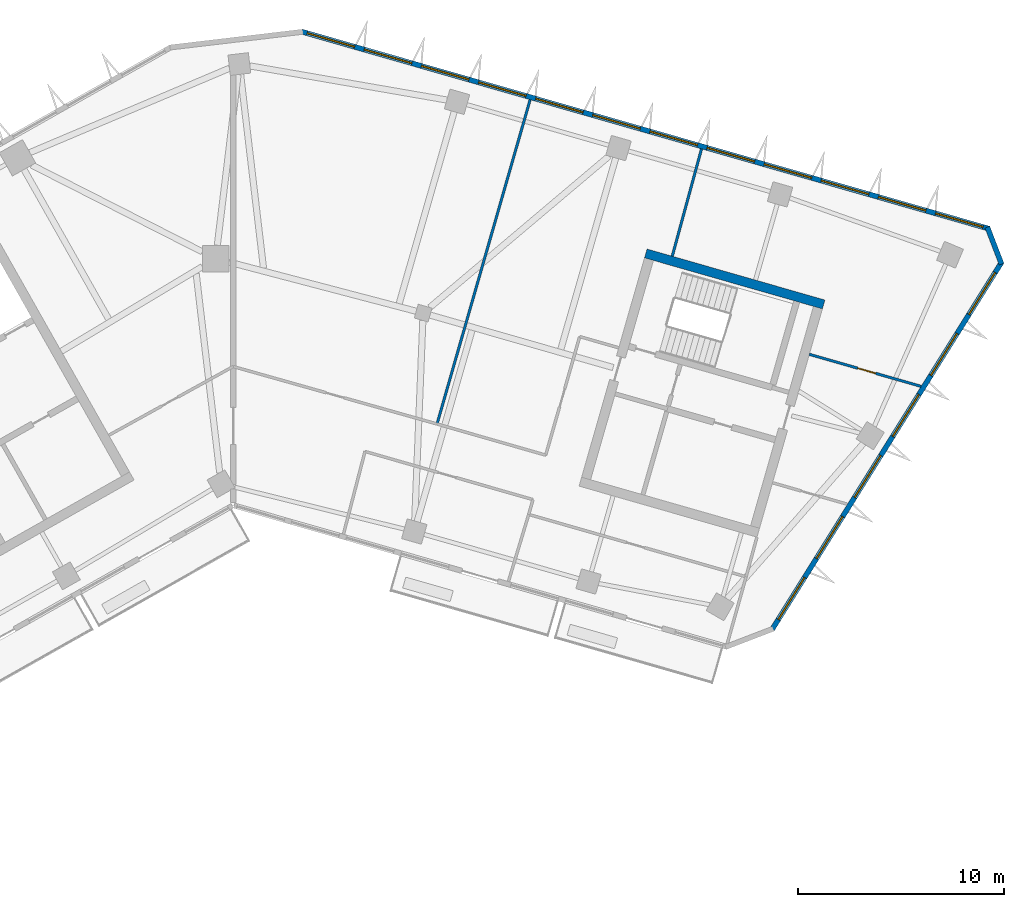
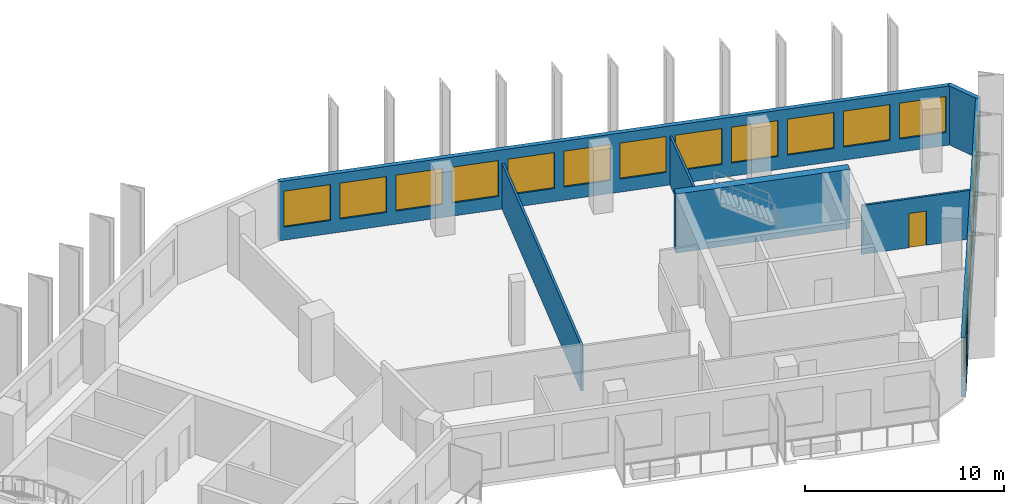
# One storey, part 8 of 12: 18 windows, 7 walls, 1 door, 19 openings.
"""IFC4 building model written with IfcOpenShell, lengths in metres."""

from ifc_helpers import new_model, si_unit, direction, frame, frame_2d, origin, place, context, subcontext, project, spatial, rectangle, extrude, material, layer, layer_set, type_object, element, fill, save


model = new_model("IFC4")

# Units and contexts
model_context = context("Model", 3, precision=1e-05, world=origin(), true_north=direction((0.0, 1.0)))
body_context = subcontext(model_context, "Body", "Model", "MODEL_VIEW")
ifc_project = project(units=[si_unit("LENGTHUNIT", "METRE"), si_unit("AREAUNIT", "SQUARE_METRE"), si_unit("VOLUMEUNIT", "CUBIC_METRE"), si_unit("PLANEANGLEUNIT", "RADIAN"), si_unit("MASSUNIT", "GRAM", prefix="KILO")], contexts=[model_context])

# Site, building, storey
site_placement = place(None, origin())
site = spatial("IfcSite", under=ifc_project, at=site_placement, CompositionType="ELEMENT")
building_placement = place(site_placement, origin())
building = spatial("IfcBuilding", under=site, at=building_placement, Name="Binnacle Exchange Tower", CompositionType="ELEMENT")
storey_placement = place(building_placement, frame((0.0, 0.0, 215.300048828125)))
storey = spatial("IfcBuildingStorey", under=building, at=storey_placement, Name="L47", CompositionType="ELEMENT", Elevation=215.300048828125)

# Wall
ifc_material_1 = material(Name="Concrete C70/85", Category="concrete")
ifc_layer_1 = layer(ifc_material_1, 0.449951171875)
ifc_layer_set_1 = layer_set([ifc_layer_1], Name="Core wall - outer 450")
wall_type_1 = type_object("IfcWallType", Name="Core wall - outer 450", PredefinedType="SOLIDWALL", material=ifc_layer_set_1)
wall_1_placement = place(storey_placement, frame((20.073486328125, 60.251708984375, 0.0), z_axis=(0.0, 0.0, 1.0), x_axis=(0.96126248289, -0.275634611374, 0.0)))
element("IfcWall", 1, at=wall_1_placement, inside=storey, type_object=wall_type_1, Name="Core wall CRWD6", PredefinedType="SOLIDWALL", context=body_context, shape_type="SweptSolid", body=[
    extrude(rectangle(XDim=9.0, YDim=0.449951171875, at=frame_2d((4.5, 0.0))), origin(), (0.0, 0.0, 1.0), 3.619873046875),
])

# Wall, openings, windows
ifc_material_2 = material(Name="Bronze aluminium cladding", Category="aluminium")
ifc_layer_2 = layer(ifc_material_2, 0.25)
ifc_layer_set_2 = layer_set([ifc_layer_2], Name="External wall - window wall 250")
wall_type_2 = type_object("IfcWallType", Name="External wall - window wall 250", PredefinedType="STANDARD", material=ifc_layer_set_2)
wall_2_placement = place(storey_placement, frame((37.392333984375, 59.84033203125, 0.0), z_axis=(0.0, 0.0, 1.0), x_axis=(-0.529919909431, -0.848047692992, 0.0)))
wall_2 = element("IfcWall", 2, at=wall_2_placement, inside=storey, type_object=wall_type_2, Name="External wall EW-G04 L47", PredefinedType="STANDARD", context=body_context, shape_type="SweptSolid", body=[
    extrude(rectangle(XDim=21.104248046875, YDim=0.25, at=frame_2d((10.55224609375, 0.0))), origin(), (0.0, 0.0, 1.0), 3.619873046875),
])
opening_1_placement = place(wall_2_placement, frame((18.1123046875, 0.0, 0.800048828125)))
opening_1 = element("IfcOpeningElement", 3, at=opening_1_placement, cuts=wall_2, Name="Opening WR1", PredefinedType="OPENING", context=body_context, shape_type="SweptSolid", body=[
    extrude(rectangle(XDim=2.39990234375, YDim=2.199951171875, at=frame_2d((1.199951171875, 1.10009765625))), frame((0.0, 0.135009765625, 0.0), z_axis=(0.0, -1.0, 0.0), x_axis=(1.0, 0.0, 0.0)), (0.0, 0.0, 1.0), 0.27001953125),
])
opening_2_placement = place(wall_2_placement, frame((14.6123046875, 0.0, 0.800048828125)))
opening_2 = element("IfcOpeningElement", 4, at=opening_2_placement, cuts=wall_2, Name="Opening WR1", PredefinedType="OPENING", context=body_context, shape_type="SweptSolid", body=[
    extrude(rectangle(XDim=2.39990234375, YDim=2.199951171875, at=frame_2d((1.199951171875, 1.10009765625))), frame((0.0, 0.135009765625, 0.0), z_axis=(0.0, -1.0, 0.0), x_axis=(1.0, 0.0, 0.0)), (0.0, 0.0, 1.0), 0.27001953125),
])
opening_3_placement = place(wall_2_placement, frame((11.1123046875, 0.0, 0.800048828125)))
opening_3 = element("IfcOpeningElement", 5, at=opening_3_placement, cuts=wall_2, Name="Opening WR1", PredefinedType="OPENING", context=body_context, shape_type="SweptSolid", body=[
    extrude(rectangle(XDim=2.39990234375, YDim=2.199951171875, at=frame_2d((1.199951171875, 1.10009765625))), frame((0.0, 0.135009765625, 0.0), z_axis=(0.0, -1.0, 0.0), x_axis=(1.0, 0.0, 0.0)), (0.0, 0.0, 1.0), 0.27001953125),
])
opening_4_placement = place(wall_2_placement, frame((7.6123046875, 0.0, 0.800048828125)))
opening_4 = element("IfcOpeningElement", 6, at=opening_4_placement, cuts=wall_2, Name="Opening WR1", PredefinedType="OPENING", context=body_context, shape_type="SweptSolid", body=[
    extrude(rectangle(XDim=2.39990234375, YDim=2.199951171875, at=frame_2d((1.199951171875, 1.10009765625))), frame((0.0, 0.135009765625, 0.0), z_axis=(0.0, -1.0, 0.0), x_axis=(1.0, 0.0, 0.0)), (0.0, 0.0, 1.0), 0.27001953125),
])
opening_5_placement = place(wall_2_placement, frame((4.1123046875, 0.0, 0.800048828125)))
opening_5 = element("IfcOpeningElement", 7, at=opening_5_placement, cuts=wall_2, Name="Opening WR1", PredefinedType="OPENING", context=body_context, shape_type="SweptSolid", body=[
    extrude(rectangle(XDim=2.39990234375, YDim=2.199951171875, at=frame_2d((1.199951171875, 1.10009765625))), frame((0.0, 0.135009765625, 0.0), z_axis=(0.0, -1.0, 0.0), x_axis=(1.0, 0.0, 0.0)), (0.0, 0.0, 1.0), 0.27001953125),
])
opening_6_placement = place(wall_2_placement, frame((0.6123046875, 0.0, 0.800048828125)))
opening_6 = element("IfcOpeningElement", 8, at=opening_6_placement, cuts=wall_2, Name="Opening WR1", PredefinedType="OPENING", context=body_context, shape_type="SweptSolid", body=[
    extrude(rectangle(XDim=2.39990234375, YDim=2.199951171875, at=frame_2d((1.199951171875, 1.10009765625))), frame((0.0, 0.135009765625, 0.0), z_axis=(0.0, -1.0, 0.0), x_axis=(1.0, 0.0, 0.0)), (0.0, 0.0, 1.0), 0.27001953125),
])
ifc_material_3 = material(Name="Bronze anodised aluminium frame", Category="aluminium")
window_type = type_object("IfcWindowType", Name="WR1 WINDOW 2400x2200", PartitioningType="SINGLE_PANEL", PredefinedType="WINDOW", material=ifc_material_3)
window_1_placement = place(opening_1_placement, origin())
window_1 = element("IfcWindow", 9, at=window_1_placement, inside=storey, type_object=window_type, Name="Window WR1 L47", OverallHeight=2.199951171875, OverallWidth=2.39990234375, PartitioningType="SINGLE_PANEL", PredefinedType="WINDOW", context=body_context, shape_type="SweptSolid", body=[
    extrude(rectangle(XDim=2.39990234375, YDim=2.199951171875, at=frame_2d((1.199951171875, 1.10009765625))), frame((0.0, 0.030029296875, 0.0), z_axis=(0.0, -1.0, 0.0), x_axis=(1.0, 0.0, 0.0)), (0.0, 0.0, 1.0), 0.06005859375),
])
fill(opening_1, window_1)
window_2_placement = place(opening_2_placement, origin())
window_2 = element("IfcWindow", 10, at=window_2_placement, inside=storey, type_object=window_type, Name="Window WR1 L47", OverallHeight=2.199951171875, OverallWidth=2.39990234375, PartitioningType="SINGLE_PANEL", PredefinedType="WINDOW", context=body_context, shape_type="SweptSolid", body=[
    extrude(rectangle(XDim=2.39990234375, YDim=2.199951171875, at=frame_2d((1.199951171875, 1.10009765625))), frame((0.0, 0.030029296875, 0.0), z_axis=(0.0, -1.0, 0.0), x_axis=(1.0, 0.0, 0.0)), (0.0, 0.0, 1.0), 0.06005859375),
])
fill(opening_2, window_2)
window_3_placement = place(opening_3_placement, origin())
window_3 = element("IfcWindow", 11, at=window_3_placement, inside=storey, type_object=window_type, Name="Window WR1 L47", OverallHeight=2.199951171875, OverallWidth=2.39990234375, PartitioningType="SINGLE_PANEL", PredefinedType="WINDOW", context=body_context, shape_type="SweptSolid", body=[
    extrude(rectangle(XDim=2.39990234375, YDim=2.199951171875, at=frame_2d((1.199951171875, 1.10009765625))), frame((0.0, 0.030029296875, 0.0), z_axis=(0.0, -1.0, 0.0), x_axis=(1.0, 0.0, 0.0)), (0.0, 0.0, 1.0), 0.06005859375),
])
fill(opening_3, window_3)
window_4_placement = place(opening_4_placement, origin())
window_4 = element("IfcWindow", 12, at=window_4_placement, inside=storey, type_object=window_type, Name="Window WR1 L47", OverallHeight=2.199951171875, OverallWidth=2.39990234375, PartitioningType="SINGLE_PANEL", PredefinedType="WINDOW", context=body_context, shape_type="SweptSolid", body=[
    extrude(rectangle(XDim=2.39990234375, YDim=2.199951171875, at=frame_2d((1.199951171875, 1.10009765625))), frame((0.0, 0.030029296875, 0.0), z_axis=(0.0, -1.0, 0.0), x_axis=(1.0, 0.0, 0.0)), (0.0, 0.0, 1.0), 0.06005859375),
])
fill(opening_4, window_4)
window_5_placement = place(opening_5_placement, origin())
window_5 = element("IfcWindow", 13, at=window_5_placement, inside=storey, type_object=window_type, Name="Window WR1 L47", OverallHeight=2.199951171875, OverallWidth=2.39990234375, PartitioningType="SINGLE_PANEL", PredefinedType="WINDOW", context=body_context, shape_type="SweptSolid", body=[
    extrude(rectangle(XDim=2.39990234375, YDim=2.199951171875, at=frame_2d((1.199951171875, 1.10009765625))), frame((0.0, 0.030029296875, 0.0), z_axis=(0.0, -1.0, 0.0), x_axis=(1.0, 0.0, 0.0)), (0.0, 0.0, 1.0), 0.06005859375),
])
fill(opening_5, window_5)
window_6_placement = place(opening_6_placement, origin())
window_6 = element("IfcWindow", 14, at=window_6_placement, inside=storey, type_object=window_type, Name="Window WR1 L47", OverallHeight=2.199951171875, OverallWidth=2.39990234375, PartitioningType="SINGLE_PANEL", PredefinedType="WINDOW", context=body_context, shape_type="SweptSolid", body=[
    extrude(rectangle(XDim=2.39990234375, YDim=2.199951171875, at=frame_2d((1.199951171875, 1.10009765625))), frame((0.0, 0.030029296875, 0.0), z_axis=(0.0, -1.0, 0.0), x_axis=(1.0, 0.0, 0.0)), (0.0, 0.0, 1.0), 0.06005859375),
])
fill(opening_6, window_6)

# Wall
wall_3_placement = place(storey_placement, frame((36.68994140625, 61.531005859375, 0.0), z_axis=(0.0, 0.0, 1.0), x_axis=(0.358377147136, -0.933576895821, 0.0)))
element("IfcWall", 15, at=wall_3_placement, inside=storey, type_object=wall_type_2, Name="External wall EW-G05 L47", PredefinedType="STANDARD", context=body_context, shape_type="SweptSolid", body=[
    extrude(rectangle(XDim=1.929931640625, YDim=0.25, at=frame_2d((0.96484375, 0.0))), origin(), (0.0, 0.0, 1.0), 3.619873046875),
])

# Wall, openings, windows
wall_4_placement = place(storey_placement, frame((3.34033203125, 71.042236328125, 0.0), z_axis=(0.0, 0.0, 1.0), x_axis=(0.96126179431, -0.275637012753, 0.0)))
wall_4 = element("IfcWall", 16, at=wall_4_placement, inside=storey, type_object=wall_type_2, Name="External wall EW-G06 L47", PredefinedType="STANDARD", context=body_context, shape_type="SweptSolid", body=[
    extrude(rectangle(XDim=34.779052734375, YDim=0.25, at=frame_2d((17.3896484375, 0.0))), origin(), (0.0, 0.0, 1.0), 3.619873046875),
])
opening_7_placement = place(wall_4_placement, frame((32.0712890625, 0.0, 0.800048828125)))
opening_7 = element("IfcOpeningElement", 17, at=opening_7_placement, cuts=wall_4, Name="Opening WR1", PredefinedType="OPENING", context=body_context, shape_type="SweptSolid", body=[
    extrude(rectangle(XDim=2.39990234375, YDim=2.199951171875, at=frame_2d((1.199951171875, 1.10009765625))), frame((0.0, 0.135009765625, 0.0), z_axis=(0.0, -1.0, 0.0), x_axis=(1.0, 0.0, 0.0)), (0.0, 0.0, 1.0), 0.27001953125),
])
opening_8_placement = place(wall_4_placement, frame((29.180419921875, 0.0, 0.800048828125)))
opening_8 = element("IfcOpeningElement", 18, at=opening_8_placement, cuts=wall_4, Name="Opening WR1", PredefinedType="OPENING", context=body_context, shape_type="SweptSolid", body=[
    extrude(rectangle(XDim=2.39990234375, YDim=2.199951171875, at=frame_2d((1.199951171875, 1.10009765625))), frame((0.0, 0.135009765625, 0.0), z_axis=(0.0, -1.0, 0.0), x_axis=(1.0, 0.0, 0.0)), (0.0, 0.0, 1.0), 0.27001953125),
])
opening_9_placement = place(wall_4_placement, frame((26.289306640625, 0.0, 0.800048828125)))
opening_9 = element("IfcOpeningElement", 19, at=opening_9_placement, cuts=wall_4, Name="Opening WR1", PredefinedType="OPENING", context=body_context, shape_type="SweptSolid", body=[
    extrude(rectangle(XDim=2.39990234375, YDim=2.199951171875, at=frame_2d((1.199951171875, 1.10009765625))), frame((0.0, 0.135009765625, 0.0), z_axis=(0.0, -1.0, 0.0), x_axis=(1.0, 0.0, 0.0)), (0.0, 0.0, 1.0), 0.27001953125),
])
opening_10_placement = place(wall_4_placement, frame((23.3984375, 0.0, 0.800048828125)))
opening_10 = element("IfcOpeningElement", 20, at=opening_10_placement, cuts=wall_4, Name="Opening WR1", PredefinedType="OPENING", context=body_context, shape_type="SweptSolid", body=[
    extrude(rectangle(XDim=2.39990234375, YDim=2.199951171875, at=frame_2d((1.199951171875, 1.10009765625))), frame((0.0, 0.135009765625, 0.0), z_axis=(0.0, -1.0, 0.0), x_axis=(1.0, 0.0, 0.0)), (0.0, 0.0, 1.0), 0.27001953125),
])
opening_11_placement = place(wall_4_placement, frame((20.507568359375, 0.0, 0.800048828125)))
opening_11 = element("IfcOpeningElement", 21, at=opening_11_placement, cuts=wall_4, Name="Opening WR1", PredefinedType="OPENING", context=body_context, shape_type="SweptSolid", body=[
    extrude(rectangle(XDim=2.39990234375, YDim=2.199951171875, at=frame_2d((1.199951171875, 1.10009765625))), frame((0.0, 0.135009765625, 0.0), z_axis=(0.0, -1.0, 0.0), x_axis=(1.0, 0.0, 0.0)), (0.0, 0.0, 1.0), 0.27001953125),
])
opening_12_placement = place(wall_4_placement, frame((17.616455078125, 0.0, 0.800048828125)))
opening_12 = element("IfcOpeningElement", 22, at=opening_12_placement, cuts=wall_4, Name="Opening WR1", PredefinedType="OPENING", context=body_context, shape_type="SweptSolid", body=[
    extrude(rectangle(XDim=2.39990234375, YDim=2.199951171875, at=frame_2d((1.199951171875, 1.10009765625))), frame((0.0, 0.135009765625, 0.0), z_axis=(0.0, -1.0, 0.0), x_axis=(1.0, 0.0, 0.0)), (0.0, 0.0, 1.0), 0.27001953125),
])
opening_13_placement = place(wall_4_placement, frame((14.7255859375, 0.0, 0.800048828125)))
opening_13 = element("IfcOpeningElement", 23, at=opening_13_placement, cuts=wall_4, Name="Opening WR1", PredefinedType="OPENING", context=body_context, shape_type="SweptSolid", body=[
    extrude(rectangle(XDim=2.39990234375, YDim=2.199951171875, at=frame_2d((1.199951171875, 1.10009765625))), frame((0.0, 0.135009765625, 0.0), z_axis=(0.0, -1.0, 0.0), x_axis=(1.0, 0.0, 0.0)), (0.0, 0.0, 1.0), 0.27001953125),
])
opening_14_placement = place(wall_4_placement, frame((11.83447265625, 0.0, 0.800048828125)))
opening_14 = element("IfcOpeningElement", 24, at=opening_14_placement, cuts=wall_4, Name="Opening WR1", PredefinedType="OPENING", context=body_context, shape_type="SweptSolid", body=[
    extrude(rectangle(XDim=2.39990234375, YDim=2.199951171875, at=frame_2d((1.199951171875, 1.10009765625))), frame((0.0, 0.135009765625, 0.0), z_axis=(0.0, -1.0, 0.0), x_axis=(1.0, 0.0, 0.0)), (0.0, 0.0, 1.0), 0.27001953125),
])
opening_15_placement = place(wall_4_placement, frame((8.943603515625, 0.0, 0.800048828125)))
opening_15 = element("IfcOpeningElement", 25, at=opening_15_placement, cuts=wall_4, Name="Opening WR1", PredefinedType="OPENING", context=body_context, shape_type="SweptSolid", body=[
    extrude(rectangle(XDim=2.39990234375, YDim=2.199951171875, at=frame_2d((1.199951171875, 1.10009765625))), frame((0.0, 0.135009765625, 0.0), z_axis=(0.0, -1.0, 0.0), x_axis=(1.0, 0.0, 0.0)), (0.0, 0.0, 1.0), 0.27001953125),
])
opening_16_placement = place(wall_4_placement, frame((6.052490234375, 0.0, 0.800048828125)))
opening_16 = element("IfcOpeningElement", 26, at=opening_16_placement, cuts=wall_4, Name="Opening WR1", PredefinedType="OPENING", context=body_context, shape_type="SweptSolid", body=[
    extrude(rectangle(XDim=2.39990234375, YDim=2.199951171875, at=frame_2d((1.199951171875, 1.10009765625))), frame((0.0, 0.135009765625, 0.0), z_axis=(0.0, -1.0, 0.0), x_axis=(1.0, 0.0, 0.0)), (0.0, 0.0, 1.0), 0.27001953125),
])
opening_17_placement = place(wall_4_placement, frame((3.16162109375, 0.0, 0.800048828125)))
opening_17 = element("IfcOpeningElement", 27, at=opening_17_placement, cuts=wall_4, Name="Opening WR1", PredefinedType="OPENING", context=body_context, shape_type="SweptSolid", body=[
    extrude(rectangle(XDim=2.39990234375, YDim=2.199951171875, at=frame_2d((1.199951171875, 1.10009765625))), frame((0.0, 0.135009765625, 0.0), z_axis=(0.0, -1.0, 0.0), x_axis=(1.0, 0.0, 0.0)), (0.0, 0.0, 1.0), 0.27001953125),
])
opening_18_placement = place(wall_4_placement, frame((0.2705078125, 0.0, 0.800048828125)))
opening_18 = element("IfcOpeningElement", 28, at=opening_18_placement, cuts=wall_4, Name="Opening WR1", PredefinedType="OPENING", context=body_context, shape_type="SweptSolid", body=[
    extrude(rectangle(XDim=2.39990234375, YDim=2.199951171875, at=frame_2d((1.199951171875, 1.10009765625))), frame((0.0, 0.135009765625, 0.0), z_axis=(0.0, -1.0, 0.0), x_axis=(1.0, 0.0, 0.0)), (0.0, 0.0, 1.0), 0.27001953125),
])
window_7_placement = place(opening_7_placement, origin())
window_7 = element("IfcWindow", 29, at=window_7_placement, inside=storey, type_object=window_type, Name="Window WR1 L47", OverallHeight=2.199951171875, OverallWidth=2.39990234375, PartitioningType="SINGLE_PANEL", PredefinedType="WINDOW", context=body_context, shape_type="SweptSolid", body=[
    extrude(rectangle(XDim=2.39990234375, YDim=2.199951171875, at=frame_2d((1.199951171875, 1.10009765625))), frame((0.0, 0.030029296875, 0.0), z_axis=(0.0, -1.0, 0.0), x_axis=(1.0, 0.0, 0.0)), (0.0, 0.0, 1.0), 0.06005859375),
])
fill(opening_7, window_7)
window_8_placement = place(opening_8_placement, origin())
window_8 = element("IfcWindow", 30, at=window_8_placement, inside=storey, type_object=window_type, Name="Window WR1 L47", OverallHeight=2.199951171875, OverallWidth=2.39990234375, PartitioningType="SINGLE_PANEL", PredefinedType="WINDOW", context=body_context, shape_type="SweptSolid", body=[
    extrude(rectangle(XDim=2.39990234375, YDim=2.199951171875, at=frame_2d((1.199951171875, 1.10009765625))), frame((0.0, 0.030029296875, 0.0), z_axis=(0.0, -1.0, 0.0), x_axis=(1.0, 0.0, 0.0)), (0.0, 0.0, 1.0), 0.06005859375),
])
fill(opening_8, window_8)
window_9_placement = place(opening_9_placement, origin())
window_9 = element("IfcWindow", 31, at=window_9_placement, inside=storey, type_object=window_type, Name="Window WR1 L47", OverallHeight=2.199951171875, OverallWidth=2.39990234375, PartitioningType="SINGLE_PANEL", PredefinedType="WINDOW", context=body_context, shape_type="SweptSolid", body=[
    extrude(rectangle(XDim=2.39990234375, YDim=2.199951171875, at=frame_2d((1.199951171875, 1.10009765625))), frame((0.0, 0.030029296875, 0.0), z_axis=(0.0, -1.0, 0.0), x_axis=(1.0, 0.0, 0.0)), (0.0, 0.0, 1.0), 0.06005859375),
])
fill(opening_9, window_9)
window_10_placement = place(opening_10_placement, origin())
window_10 = element("IfcWindow", 32, at=window_10_placement, inside=storey, type_object=window_type, Name="Window WR1 L47", OverallHeight=2.199951171875, OverallWidth=2.39990234375, PartitioningType="SINGLE_PANEL", PredefinedType="WINDOW", context=body_context, shape_type="SweptSolid", body=[
    extrude(rectangle(XDim=2.39990234375, YDim=2.199951171875, at=frame_2d((1.199951171875, 1.10009765625))), frame((0.0, 0.030029296875, 0.0), z_axis=(0.0, -1.0, 0.0), x_axis=(1.0, 0.0, 0.0)), (0.0, 0.0, 1.0), 0.06005859375),
])
fill(opening_10, window_10)
window_11_placement = place(opening_11_placement, origin())
window_11 = element("IfcWindow", 33, at=window_11_placement, inside=storey, type_object=window_type, Name="Window WR1 L47", OverallHeight=2.199951171875, OverallWidth=2.39990234375, PartitioningType="SINGLE_PANEL", PredefinedType="WINDOW", context=body_context, shape_type="SweptSolid", body=[
    extrude(rectangle(XDim=2.39990234375, YDim=2.199951171875, at=frame_2d((1.199951171875, 1.10009765625))), frame((0.0, 0.030029296875, 0.0), z_axis=(0.0, -1.0, 0.0), x_axis=(1.0, 0.0, 0.0)), (0.0, 0.0, 1.0), 0.06005859375),
])
fill(opening_11, window_11)
window_12_placement = place(opening_12_placement, origin())
window_12 = element("IfcWindow", 34, at=window_12_placement, inside=storey, type_object=window_type, Name="Window WR1 L47", OverallHeight=2.199951171875, OverallWidth=2.39990234375, PartitioningType="SINGLE_PANEL", PredefinedType="WINDOW", context=body_context, shape_type="SweptSolid", body=[
    extrude(rectangle(XDim=2.39990234375, YDim=2.199951171875, at=frame_2d((1.199951171875, 1.10009765625))), frame((0.0, 0.030029296875, 0.0), z_axis=(0.0, -1.0, 0.0), x_axis=(1.0, 0.0, 0.0)), (0.0, 0.0, 1.0), 0.06005859375),
])
fill(opening_12, window_12)
window_13_placement = place(opening_13_placement, origin())
window_13 = element("IfcWindow", 35, at=window_13_placement, inside=storey, type_object=window_type, Name="Window WR1 L47", OverallHeight=2.199951171875, OverallWidth=2.39990234375, PartitioningType="SINGLE_PANEL", PredefinedType="WINDOW", context=body_context, shape_type="SweptSolid", body=[
    extrude(rectangle(XDim=2.39990234375, YDim=2.199951171875, at=frame_2d((1.199951171875, 1.10009765625))), frame((0.0, 0.030029296875, 0.0), z_axis=(0.0, -1.0, 0.0), x_axis=(1.0, 0.0, 0.0)), (0.0, 0.0, 1.0), 0.06005859375),
])
fill(opening_13, window_13)
window_14_placement = place(opening_14_placement, origin())
window_14 = element("IfcWindow", 36, at=window_14_placement, inside=storey, type_object=window_type, Name="Window WR1 L47", OverallHeight=2.199951171875, OverallWidth=2.39990234375, PartitioningType="SINGLE_PANEL", PredefinedType="WINDOW", context=body_context, shape_type="SweptSolid", body=[
    extrude(rectangle(XDim=2.39990234375, YDim=2.199951171875, at=frame_2d((1.199951171875, 1.10009765625))), frame((0.0, 0.030029296875, 0.0), z_axis=(0.0, -1.0, 0.0), x_axis=(1.0, 0.0, 0.0)), (0.0, 0.0, 1.0), 0.06005859375),
])
fill(opening_14, window_14)
window_15_placement = place(opening_15_placement, origin())
window_15 = element("IfcWindow", 37, at=window_15_placement, inside=storey, type_object=window_type, Name="Window WR1 L47", OverallHeight=2.199951171875, OverallWidth=2.39990234375, PartitioningType="SINGLE_PANEL", PredefinedType="WINDOW", context=body_context, shape_type="SweptSolid", body=[
    extrude(rectangle(XDim=2.39990234375, YDim=2.199951171875, at=frame_2d((1.199951171875, 1.10009765625))), frame((0.0, 0.030029296875, 0.0), z_axis=(0.0, -1.0, 0.0), x_axis=(1.0, 0.0, 0.0)), (0.0, 0.0, 1.0), 0.06005859375),
])
fill(opening_15, window_15)
window_16_placement = place(opening_16_placement, origin())
window_16 = element("IfcWindow", 38, at=window_16_placement, inside=storey, type_object=window_type, Name="Window WR1 L47", OverallHeight=2.199951171875, OverallWidth=2.39990234375, PartitioningType="SINGLE_PANEL", PredefinedType="WINDOW", context=body_context, shape_type="SweptSolid", body=[
    extrude(rectangle(XDim=2.39990234375, YDim=2.199951171875, at=frame_2d((1.199951171875, 1.10009765625))), frame((0.0, 0.030029296875, 0.0), z_axis=(0.0, -1.0, 0.0), x_axis=(1.0, 0.0, 0.0)), (0.0, 0.0, 1.0), 0.06005859375),
])
fill(opening_16, window_16)
window_17_placement = place(opening_17_placement, origin())
window_17 = element("IfcWindow", 39, at=window_17_placement, inside=storey, type_object=window_type, Name="Window WR1 L47", OverallHeight=2.199951171875, OverallWidth=2.39990234375, PartitioningType="SINGLE_PANEL", PredefinedType="WINDOW", context=body_context, shape_type="SweptSolid", body=[
    extrude(rectangle(XDim=2.39990234375, YDim=2.199951171875, at=frame_2d((1.199951171875, 1.10009765625))), frame((0.0, 0.030029296875, 0.0), z_axis=(0.0, -1.0, 0.0), x_axis=(1.0, 0.0, 0.0)), (0.0, 0.0, 1.0), 0.06005859375),
])
fill(opening_17, window_17)
window_18_placement = place(opening_18_placement, origin())
window_18 = element("IfcWindow", 40, at=window_18_placement, inside=storey, type_object=window_type, Name="Window WR1 L47", OverallHeight=2.199951171875, OverallWidth=2.39990234375, PartitioningType="SINGLE_PANEL", PredefinedType="WINDOW", context=body_context, shape_type="SweptSolid", body=[
    extrude(rectangle(XDim=2.39990234375, YDim=2.199951171875, at=frame_2d((1.199951171875, 1.10009765625))), frame((0.0, 0.030029296875, 0.0), z_axis=(0.0, -1.0, 0.0), x_axis=(1.0, 0.0, 0.0)), (0.0, 0.0, 1.0), 0.06005859375),
])
fill(opening_18, window_18)

# Walls
ifc_material_4 = material(Name="Gypsum partition")
ifc_layer_3 = layer(ifc_material_4, 0.125)
ifc_layer_set_3 = layer_set([ifc_layer_3], Name="Partition 125")
wall_type_3 = type_object("IfcWallType", Name="Partition 125", PredefinedType="PARTITIONING", material=ifc_layer_set_3)
wall_5_placement = place(storey_placement, frame((9.9169921875, 51.955078125, 0.0), z_axis=(0.0, 0.0, 1.0), x_axis=(0.275933286704, 0.96117678982, 0.0)))
element("IfcWall", 41, at=wall_5_placement, inside=storey, type_object=wall_type_3, Name="Partition W24", PredefinedType="PARTITIONING", context=body_context, shape_type="SweptSolid", body=[
    extrude(rectangle(XDim=16.41015625, YDim=0.125, at=frame_2d((8.205078125, 0.0))), origin(), (0.0, 0.0, 1.0), 2.7919921875),
])
wall_6_placement = place(storey_placement, frame((21.360107421875, 60.116943359375, 0.0), z_axis=(0.0, 0.0, 1.0), x_axis=(0.263151767798, 0.964754449124, 0.0)))
element("IfcWall", 42, at=wall_6_placement, inside=storey, type_object=wall_type_3, Name="Partition W31", PredefinedType="PARTITIONING", context=body_context, shape_type="SweptSolid", body=[
    extrude(rectangle(XDim=5.41064453125, YDim=0.125, at=frame_2d((2.705322265625, 0.0))), origin(), (0.0, 0.0, 1.0), 3.0),
])

# Wall, opening, door
wall_7_placement = place(storey_placement, frame((28.029052734375, 55.343994140625, 0.0), z_axis=(0.0, 0.0, 1.0), x_axis=(0.961249621014, -0.275679462603, 0.0)))
wall_7 = element("IfcWall", 43, at=wall_7_placement, inside=storey, type_object=wall_type_3, Name="Partition W35", PredefinedType="PARTITIONING", context=body_context, shape_type="SweptSolid", body=[
    extrude(rectangle(XDim=5.65185546875, YDim=0.125, at=frame_2d((2.825927734375, 0.0))), origin(), (0.0, 0.0, 1.0), 2.988037109375),
])
opening_19_placement = place(wall_7_placement, frame((2.449951171875, 0.0, 0.0)))
opening_19 = element("IfcOpeningElement", 44, at=opening_19_placement, cuts=wall_7, Name="Opening DL45-12", PredefinedType="OPENING", context=body_context, shape_type="SweptSolid", body=[
    extrude(rectangle(XDim=0.89990234375, YDim=2.10009765625, at=frame_2d((0.449951171875, 1.050048828125))), frame((0.0, 0.072509765625, 0.0), z_axis=(0.0, -1.0, 0.0), x_axis=(1.0, 0.0, 0.0)), (0.0, 0.0, 1.0), 0.14501953125),
])
ifc_material_5 = material(Name="Timber door leaf", Category="wood")
door_type = type_object("IfcDoorType", Name="Door 900", OperationType="NOTDEFINED", PredefinedType="DOOR", material=ifc_material_5)
door_placement = place(opening_19_placement, origin())
door = element("IfcDoor", 45, at=door_placement, inside=storey, type_object=door_type, Name="Door DL45-12", OperationType="SINGLE_SWING_RIGHT", OverallHeight=2.10009765625, OverallWidth=0.89990234375, PredefinedType="DOOR", context=body_context, shape_type="SweptSolid", body=[
    extrude(rectangle(XDim=0.89990234375, YDim=2.10009765625, at=frame_2d((0.449951171875, 1.050048828125))), frame((0.0, 0.02490234375, 0.0), z_axis=(0.0, -1.0, 0.0), x_axis=(1.0, 0.0, 0.0)), (0.0, 0.0, 1.0), 0.050048828125),
])
fill(opening_19, door)

save(model, "model.ifc")
